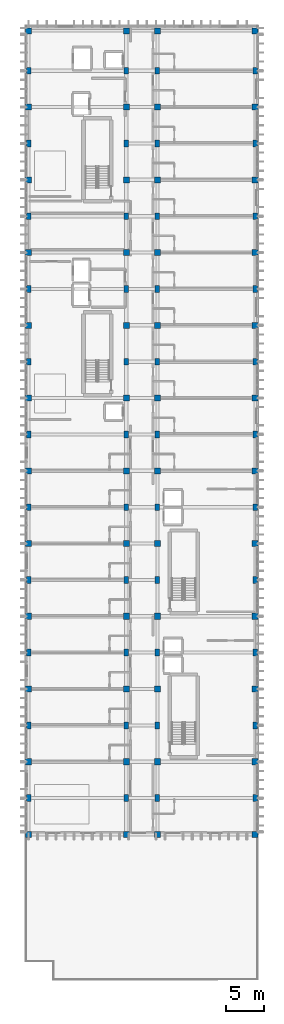
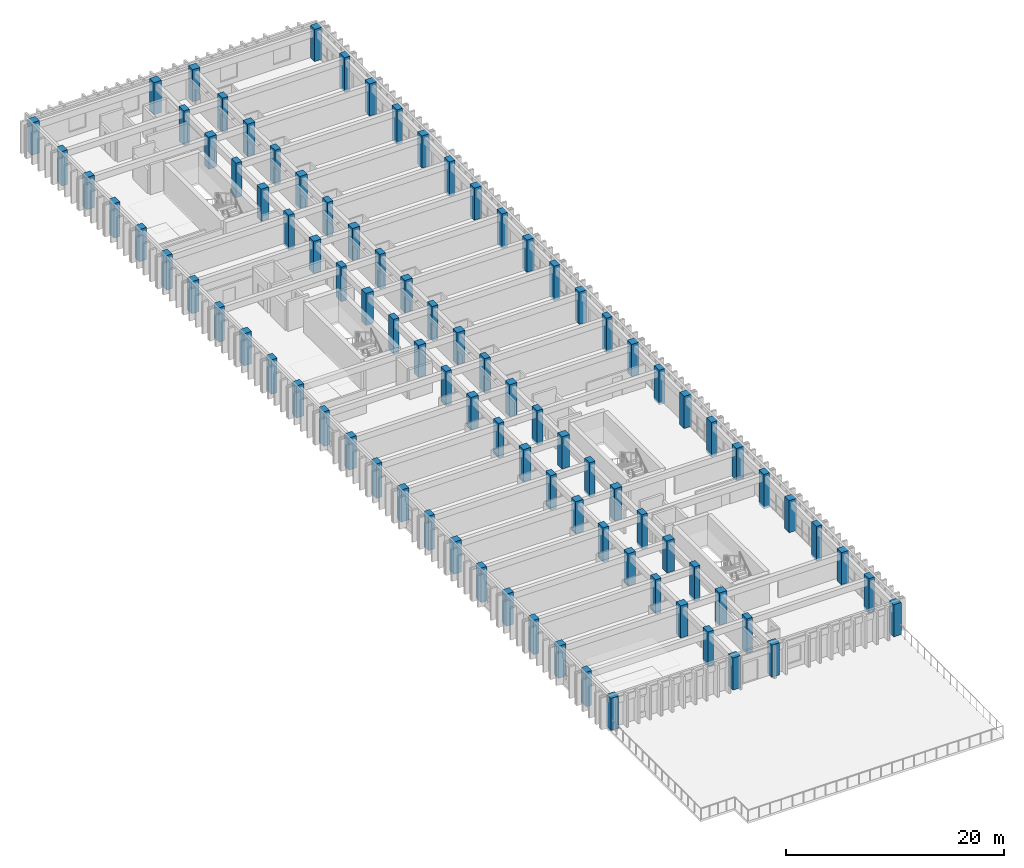
# One storey, part 1 of 82: 92 columns.
"""IFC4 building model written with IfcOpenShell, lengths in metres."""

from ifc_helpers import new_model, si_unit, direction, frame, origin, origin_2d, place, context, subcontext, project, spatial, rectangle, extrude, material, material_profile, profile_set, type_object, element, save


model = new_model("IFC4")

# Units and contexts
model_context = context("Model", 3, precision=1e-05, world=origin(), true_north=direction((0.0, 1.0)))
body_context = subcontext(model_context, "Body", "Model", "MODEL_VIEW")
ifc_project = project(units=[si_unit("LENGTHUNIT", "METRE"), si_unit("AREAUNIT", "SQUARE_METRE"), si_unit("VOLUMEUNIT", "CUBIC_METRE"), si_unit("PLANEANGLEUNIT", "RADIAN"), si_unit("MASSUNIT", "GRAM", prefix="KILO")], contexts=[model_context])

# Site, building, storey
site_placement = place(None, origin())
site = spatial("IfcSite", under=ifc_project, at=site_placement, CompositionType="ELEMENT")
building_placement = place(site_placement, origin())
building = spatial("IfcBuilding", under=site, at=building_placement, Name="Nakhvara Creek Congress Hotel", CompositionType="ELEMENT")
storey_placement = place(building_placement, frame((0.0, 0.0, 21.0)))
storey = spatial("IfcBuildingStorey", under=building, at=storey_placement, Name="L04", CompositionType="ELEMENT", Elevation=21.0)

# Columns
ifc_material = material(Name="Concrete C50/60", Category="concrete")
ifc_material_profile_1 = material_profile(ifc_material, rectangle(XDim=0.60009765625, YDim=0.89990234375, at=origin_2d()), Name="RC-COL 600x900", Category="LoadBearing")
ifc_profile_set_1 = profile_set([ifc_material_profile_1], Name="Concrete C50/60")
column_type_1 = type_object("IfcColumnType", Name="COL-RC-600X900", PredefinedType="COLUMN", material=ifc_profile_set_1)
for number, where, z_axis, x_axis, name in (
    (1, (149.449951171875, 24.0, -0.260009765625), (0.0, 0.0, 1.0), (1.0, 0.0, 0.0), "Column C11-L04-1423"),
    (2, (149.449951171875, 33.60009765625, -0.260009765625), (0.0, 0.0, 1.0), (1.0, 0.0, 0.0), "Column C11-L04-1424"),
    (3, (149.449951171875, 43.199951171875, -0.260009765625), (0.0, 0.0, 1.0), (1.0, 0.0, 0.0), "Column C11-L04-1425"),
    (4, (149.449951171875, 52.800048828125, -0.260009765625), (0.0, 0.0, 1.0), (1.0, 0.0, 0.0), "Column C11-L04-1426"),
    (5, (149.449951171875, 62.39990234375, -0.260009765625), (0.0, 0.0, 1.0), (1.0, 0.0, 0.0), "Column C11-L04-1427"),
    (6, (149.449951171875, 72.0, -0.260009765625), (0.0, 0.0, 1.0), (1.0, 0.0, 0.0), "Column C11-L04-1428"),
    (7, (149.449951171875, 81.60009765625, -0.260009765625), (0.0, 0.0, 1.0), (1.0, 0.0, 0.0), "Column C11-L04-1429"),
    (8, (149.449951171875, 91.199951171875, -0.260009765625), (0.0, 0.0, 1.0), (1.0, 0.0, 0.0), "Column C11-L04-1430"),
    (9, (149.449951171875, 100.800048828125, -0.260009765625), (0.0, 0.0, 1.0), (1.0, 0.0, 0.0), "Column C11-L04-1431"),
    (10, (149.449951171875, 110.39990234375, -0.260009765625), (0.0, 0.0, 1.0), (1.0, 0.0, 0.0), "Column C11-L04-1432"),
    (11, (149.449951171875, 120.0, -0.260009765625), (0.0, 0.0, 1.0), (1.0, 0.0, 0.0), "Column C11-L04-1433"),
    (12, (162.35009765625, 24.0, -0.260009765625), (0.0, 0.0, 1.0), (1.0, 0.0, 0.0), "Column C11-L04-1434"),
    (13, (162.35009765625, 33.60009765625, -0.260009765625), (0.0, 0.0, 1.0), (1.0, 0.0, 0.0), "Column C11-L04-1435"),
    (14, (162.35009765625, 43.199951171875, -0.260009765625), (0.0, 0.0, 1.0), (1.0, 0.0, 0.0), "Column C11-L04-1436"),
    (15, (162.35009765625, 52.800048828125, -0.260009765625), (0.0, 0.0, 1.0), (1.0, 0.0, 0.0), "Column C11-L04-1437"),
    (16, (162.35009765625, 62.39990234375, -0.260009765625), (0.0, 0.0, 1.0), (1.0, 0.0, 0.0), "Column C11-L04-1438"),
    (17, (162.35009765625, 72.0, -0.260009765625), (0.0, 0.0, 1.0), (1.0, 0.0, 0.0), "Column C11-L04-1439"),
    (18, (162.35009765625, 81.60009765625, -0.260009765625), (0.0, 0.0, 1.0), (1.0, 0.0, 0.0), "Column C11-L04-1440"),
    (19, (162.35009765625, 91.199951171875, -0.260009765625), (0.0, 0.0, 1.0), (1.0, 0.0, 0.0), "Column C11-L04-1441"),
    (20, (162.35009765625, 100.800048828125, -0.260009765625), (0.0, 0.0, 1.0), (1.0, 0.0, 0.0), "Column C11-L04-1442"),
    (21, (162.35009765625, 110.39990234375, -0.260009765625), (0.0, 0.0, 1.0), (1.0, 0.0, 0.0), "Column C11-L04-1443"),
    (22, (162.35009765625, 120.0, -0.260009765625), (0.0, 0.0, 1.0), (1.0, 0.0, 0.0), "Column C11-L04-1444"),
    (23, (166.449951171875, 24.0, -0.260009765625), (0.0, 0.0, 1.0), (1.0, 0.0, 0.0), "Column C11-L04-1445"),
    (24, (166.449951171875, 33.60009765625, -0.260009765625), (0.0, 0.0, 1.0), (1.0, 0.0, 0.0), "Column C11-L04-1446"),
    (25, (166.449951171875, 43.199951171875, -0.260009765625), (0.0, 0.0, 1.0), (1.0, 0.0, 0.0), "Column C11-L04-1447"),
    (26, (166.449951171875, 52.800048828125, -0.260009765625), (0.0, 0.0, 1.0), (1.0, 0.0, 0.0), "Column C11-L04-1448"),
    (27, (166.449951171875, 62.39990234375, -0.260009765625), (0.0, 0.0, 1.0), (1.0, 0.0, 0.0), "Column C11-L04-1449"),
    (28, (166.449951171875, 72.0, -0.260009765625), (0.0, 0.0, 1.0), (1.0, 0.0, 0.0), "Column C11-L04-1450"),
    (29, (166.449951171875, 81.60009765625, -0.260009765625), (0.0, 0.0, 1.0), (1.0, 0.0, 0.0), "Column C11-L04-1451"),
    (30, (166.449951171875, 91.199951171875, -0.260009765625), (0.0, 0.0, 1.0), (1.0, 0.0, 0.0), "Column C11-L04-1452"),
    (31, (166.449951171875, 100.800048828125, -0.260009765625), (0.0, 0.0, 1.0), (1.0, 0.0, 0.0), "Column C11-L04-1453"),
    (32, (166.449951171875, 110.39990234375, -0.260009765625), (0.0, 0.0, 1.0), (1.0, 0.0, 0.0), "Column C11-L04-1454"),
    (33, (166.449951171875, 120.0, -0.260009765625), (0.0, 0.0, 1.0), (1.0, 0.0, 0.0), "Column C11-L04-1455"),
    (34, (179.35009765625, 24.0, -0.260009765625), (0.0, 0.0, 1.0), (1.0, 0.0, 0.0), "Column C11-L04-1456"),
    (35, (179.35009765625, 33.60009765625, -0.260009765625), (0.0, 0.0, 1.0), (1.0, 0.0, 0.0), "Column C11-L04-1457"),
    (36, (179.35009765625, 43.199951171875, -0.260009765625), (0.0, 0.0, 1.0), (1.0, 0.0, 0.0), "Column C11-L04-1458"),
    (37, (179.35009765625, 52.800048828125, -0.260009765625), (0.0, 0.0, 1.0), (1.0, 0.0, 0.0), "Column C11-L04-1459"),
    (38, (179.35009765625, 62.39990234375, -0.260009765625), (0.0, 0.0, 1.0), (1.0, 0.0, 0.0), "Column C11-L04-1460"),
    (39, (179.35009765625, 72.0, -0.260009765625), (0.0, 0.0, 1.0), (1.0, 0.0, 0.0), "Column C11-L04-1461"),
    (40, (179.35009765625, 81.60009765625, -0.260009765625), (0.0, 0.0, 1.0), (1.0, 0.0, 0.0), "Column C11-L04-1462"),
    (41, (179.35009765625, 91.199951171875, -0.260009765625), (0.0, 0.0, 1.0), (1.0, 0.0, 0.0), "Column C11-L04-1463"),
    (42, (179.35009765625, 100.800048828125, -0.260009765625), (0.0, 0.0, 1.0), (1.0, 0.0, 0.0), "Column C11-L04-1464"),
    (43, (179.35009765625, 110.39990234375, -0.260009765625), (0.0, 0.0, 1.0), (1.0, 0.0, 0.0), "Column C11-L04-1465"),
    (44, (179.35009765625, 120.0, -0.260009765625), (0.0, 0.0, 1.0), (1.0, 0.0, 0.0), "Column C11-L04-1466"),
):
    element("IfcColumn", number, at=place(storey_placement, frame(where, z_axis=z_axis, x_axis=x_axis)), inside=storey, type_object=column_type_1, Name=name, PredefinedType="COLUMN", context=body_context, shape_type="SweptSolid", body=[
        extrude(rectangle(XDim=0.60009765625, YDim=0.89990234375, at=origin_2d()), origin(), (0.0, 0.0, 1.0), 3.860107421875),
    ])
ifc_material_profile_2 = material_profile(ifc_material, rectangle(XDim=0.800048828125, YDim=0.800048828125, at=origin_2d()), Name="RC-COL 800x800", Category="LoadBearing")
ifc_profile_set_2 = profile_set([ifc_material_profile_2], Name="Concrete C50/60")
column_type_2 = type_object("IfcColumnType", Name="COL-RC-800", PredefinedType="COLUMN", material=ifc_profile_set_2)
for number, where, z_axis, x_axis, name in (
    (45, (149.449951171875, 19.199951171875, 0.0), (0.0, 0.0, 1.0), (1.0, 0.0, 0.0), "Column C04-L04-1375"),
    (46, (149.449951171875, 28.800048828125, 0.0), (0.0, 0.0, 1.0), (1.0, 0.0, 0.0), "Column C04-L04-1376"),
    (47, (149.449951171875, 38.39990234375, 0.0), (0.0, 0.0, 1.0), (1.0, 0.0, 0.0), "Column C04-L04-1377"),
    (48, (149.449951171875, 48.0, 0.0), (0.0, 0.0, 1.0), (1.0, 0.0, 0.0), "Column C04-L04-1378"),
    (49, (149.449951171875, 57.60009765625, 0.0), (0.0, 0.0, 1.0), (1.0, 0.0, 0.0), "Column C04-L04-1379"),
    (50, (149.449951171875, 67.199951171875, 0.0), (0.0, 0.0, 1.0), (1.0, 0.0, 0.0), "Column C04-L04-1380"),
    (51, (149.449951171875, 76.800048828125, 0.0), (0.0, 0.0, 1.0), (1.0, 0.0, 0.0), "Column C04-L04-1381"),
    (52, (149.449951171875, 86.39990234375, 0.0), (0.0, 0.0, 1.0), (1.0, 0.0, 0.0), "Column C04-L04-1382"),
    (53, (149.449951171875, 96.0, 0.0), (0.0, 0.0, 1.0), (1.0, 0.0, 0.0), "Column C04-L04-1383"),
    (54, (149.449951171875, 105.60009765625, 0.0), (0.0, 0.0, 1.0), (1.0, 0.0, 0.0), "Column C04-L04-1384"),
    (55, (149.449951171875, 115.199951171875, 0.0), (0.0, 0.0, 1.0), (1.0, 0.0, 0.0), "Column C04-L04-1385"),
    (56, (149.449951171875, 125.25, 0.0), (0.0, 0.0, 1.0), (1.0, 0.0, 0.0), "Column C04-L04-1386"),
    (57, (162.35009765625, 19.199951171875, 0.0), (0.0, 0.0, 1.0), (1.0, 0.0, 0.0), "Column C04-L04-1387"),
    (58, (162.35009765625, 28.800048828125, 0.0), (0.0, 0.0, 1.0), (1.0, 0.0, 0.0), "Column C04-L04-1388"),
    (59, (162.35009765625, 38.39990234375, 0.0), (0.0, 0.0, 1.0), (1.0, 0.0, 0.0), "Column C04-L04-1389"),
    (60, (162.35009765625, 48.0, 0.0), (0.0, 0.0, 1.0), (1.0, 0.0, 0.0), "Column C04-L04-1390"),
    (61, (162.35009765625, 57.60009765625, 0.0), (0.0, 0.0, 1.0), (1.0, 0.0, 0.0), "Column C04-L04-1391"),
    (62, (162.35009765625, 67.199951171875, 0.0), (0.0, 0.0, 1.0), (1.0, 0.0, 0.0), "Column C04-L04-1392"),
    (63, (162.35009765625, 76.800048828125, 0.0), (0.0, 0.0, 1.0), (1.0, 0.0, 0.0), "Column C04-L04-1393"),
    (64, (162.35009765625, 86.39990234375, 0.0), (0.0, 0.0, 1.0), (1.0, 0.0, 0.0), "Column C04-L04-1394"),
    (65, (162.35009765625, 96.0, 0.0), (0.0, 0.0, 1.0), (1.0, 0.0, 0.0), "Column C04-L04-1395"),
    (66, (162.35009765625, 105.60009765625, 0.0), (0.0, 0.0, 1.0), (1.0, 0.0, 0.0), "Column C04-L04-1396"),
    (67, (162.35009765625, 115.199951171875, 0.0), (0.0, 0.0, 1.0), (1.0, 0.0, 0.0), "Column C04-L04-1397"),
    (68, (162.35009765625, 125.25, 0.0), (0.0, 0.0, 1.0), (1.0, 0.0, 0.0), "Column C04-L04-1398"),
    (69, (166.449951171875, 19.199951171875, 0.0), (0.0, 0.0, 1.0), (1.0, 0.0, 0.0), "Column C04-L04-1399"),
    (70, (166.449951171875, 28.800048828125, 0.0), (0.0, 0.0, 1.0), (1.0, 0.0, 0.0), "Column C04-L04-1400"),
    (71, (166.449951171875, 38.39990234375, 0.0), (0.0, 0.0, 1.0), (1.0, 0.0, 0.0), "Column C04-L04-1401"),
    (72, (166.449951171875, 48.0, 0.0), (0.0, 0.0, 1.0), (1.0, 0.0, 0.0), "Column C04-L04-1402"),
    (73, (166.449951171875, 57.60009765625, 0.0), (0.0, 0.0, 1.0), (1.0, 0.0, 0.0), "Column C04-L04-1403"),
    (74, (166.449951171875, 67.199951171875, 0.0), (0.0, 0.0, 1.0), (1.0, 0.0, 0.0), "Column C04-L04-1404"),
    (75, (166.449951171875, 76.800048828125, 0.0), (0.0, 0.0, 1.0), (1.0, 0.0, 0.0), "Column C04-L04-1405"),
    (76, (166.449951171875, 86.39990234375, 0.0), (0.0, 0.0, 1.0), (1.0, 0.0, 0.0), "Column C04-L04-1406"),
    (77, (166.449951171875, 96.0, 0.0), (0.0, 0.0, 1.0), (1.0, 0.0, 0.0), "Column C04-L04-1407"),
    (78, (166.449951171875, 105.60009765625, 0.0), (0.0, 0.0, 1.0), (1.0, 0.0, 0.0), "Column C04-L04-1408"),
    (79, (166.449951171875, 115.199951171875, 0.0), (0.0, 0.0, 1.0), (1.0, 0.0, 0.0), "Column C04-L04-1409"),
    (80, (166.449951171875, 125.25, 0.0), (0.0, 0.0, 1.0), (1.0, 0.0, 0.0), "Column C04-L04-1410"),
    (81, (179.35009765625, 19.199951171875, 0.0), (0.0, 0.0, 1.0), (1.0, 0.0, 0.0), "Column C04-L04-1411"),
    (82, (179.35009765625, 28.800048828125, 0.0), (0.0, 0.0, 1.0), (1.0, 0.0, 0.0), "Column C04-L04-1412"),
    (83, (179.35009765625, 38.39990234375, 0.0), (0.0, 0.0, 1.0), (1.0, 0.0, 0.0), "Column C04-L04-1413"),
    (84, (179.35009765625, 48.0, 0.0), (0.0, 0.0, 1.0), (1.0, 0.0, 0.0), "Column C04-L04-1414"),
    (85, (179.35009765625, 57.60009765625, 0.0), (0.0, 0.0, 1.0), (1.0, 0.0, 0.0), "Column C04-L04-1415"),
    (86, (179.35009765625, 67.199951171875, 0.0), (0.0, 0.0, 1.0), (1.0, 0.0, 0.0), "Column C04-L04-1416"),
    (87, (179.35009765625, 76.800048828125, 0.0), (0.0, 0.0, 1.0), (1.0, 0.0, 0.0), "Column C04-L04-1417"),
    (88, (179.35009765625, 86.39990234375, 0.0), (0.0, 0.0, 1.0), (1.0, 0.0, 0.0), "Column C04-L04-1418"),
    (89, (179.35009765625, 96.0, 0.0), (0.0, 0.0, 1.0), (1.0, 0.0, 0.0), "Column C04-L04-1419"),
    (90, (179.35009765625, 105.60009765625, 0.0), (0.0, 0.0, 1.0), (1.0, 0.0, 0.0), "Column C04-L04-1420"),
    (91, (179.35009765625, 115.199951171875, 0.0), (0.0, 0.0, 1.0), (1.0, 0.0, 0.0), "Column C04-L04-1421"),
    (92, (179.35009765625, 125.25, 0.0), (0.0, 0.0, 1.0), (1.0, 0.0, 0.0), "Column C04-L04-1422"),
):
    element("IfcColumn", number, at=place(storey_placement, frame(where, z_axis=z_axis, x_axis=x_axis)), inside=storey, type_object=column_type_2, Name=name, PredefinedType="COLUMN", context=body_context, shape_type="SweptSolid", body=[
        extrude(rectangle(XDim=0.800048828125, YDim=0.800048828125, at=origin_2d()), origin(), (0.0, 0.0, 1.0), 3.60009765625),
    ])

save(model, "model.ifc")
